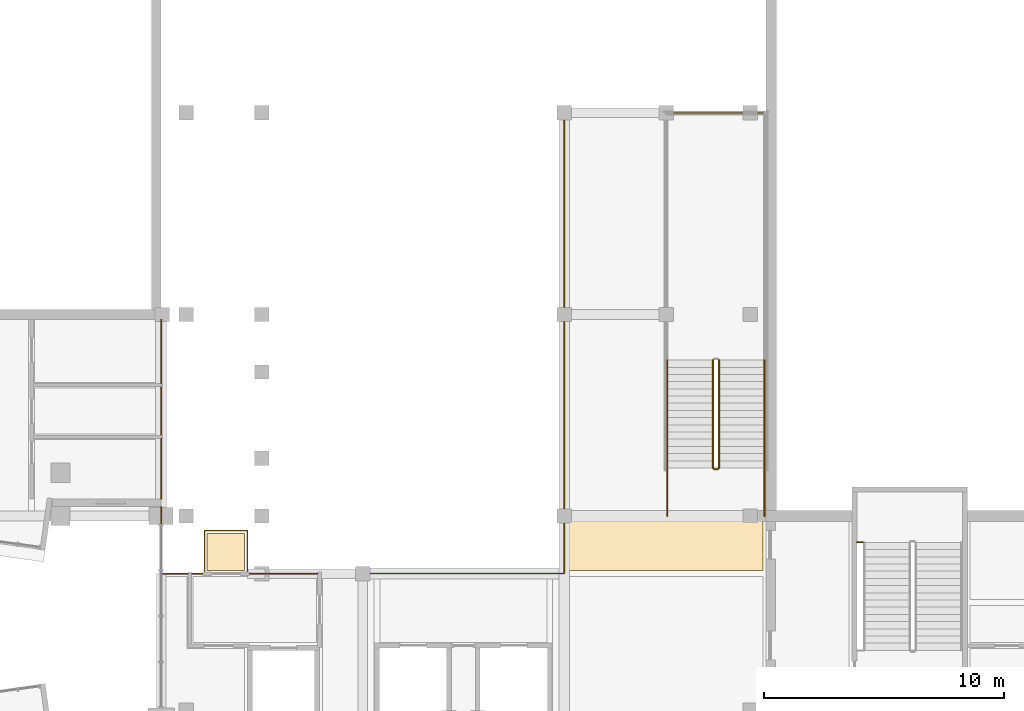
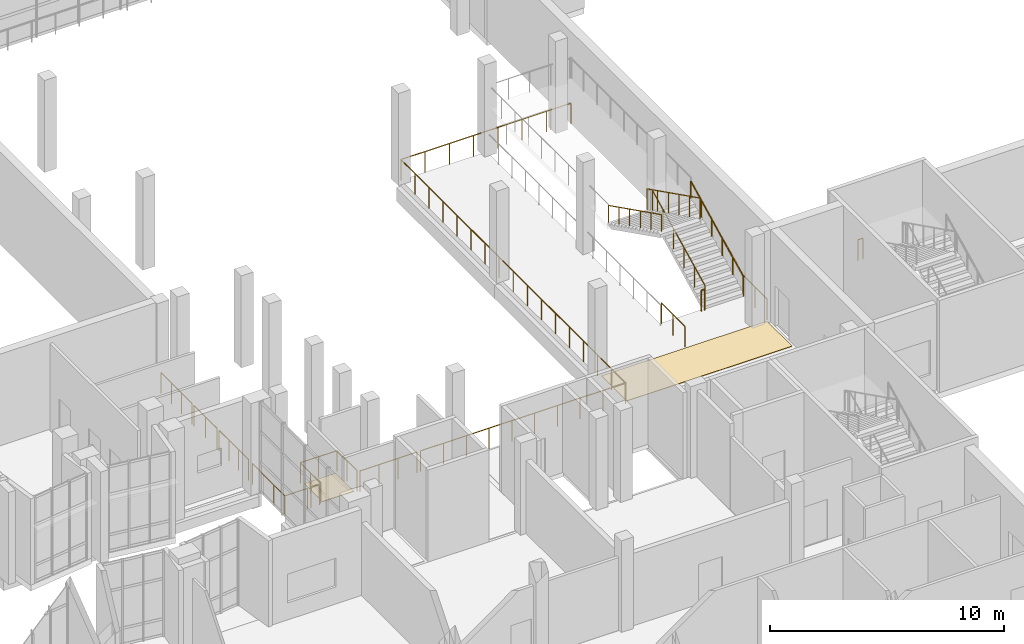
# One storey, part 74 of 91: 16 railings, 2 coverings.
"""IFC4 building model written with IfcOpenShell, lengths in metres."""

from ifc_helpers import new_model, si_unit, direction, frame, origin, origin_2d, place, context, subcontext, project, spatial, polyline, circle, outline, extrude, material, layer, layer_set, type_object, element, save


model = new_model("IFC4")

# Units and contexts
model_context = context("Model", 3, precision=1e-05, world=origin(), true_north=direction((0.0, 1.0)))
body_context = subcontext(model_context, "Body", "Model", "MODEL_VIEW")
ifc_project = project(units=[si_unit("LENGTHUNIT", "METRE"), si_unit("AREAUNIT", "SQUARE_METRE"), si_unit("VOLUMEUNIT", "CUBIC_METRE"), si_unit("PLANEANGLEUNIT", "RADIAN"), si_unit("MASSUNIT", "GRAM", prefix="KILO")], contexts=[model_context])

# Site, building, storey
site_placement = place(None, origin())
site = spatial("IfcSite", under=ifc_project, at=site_placement, CompositionType="ELEMENT")
building_placement = place(site_placement, origin())
building = spatial("IfcBuilding", under=site, at=building_placement, Name="Kiln Court Media Centre", CompositionType="ELEMENT")
storey_placement = place(building_placement, frame((0.0, 0.0, 5.39990234375)))
storey = spatial("IfcBuildingStorey", under=building, at=storey_placement, Name="L01", CompositionType="ELEMENT", Elevation=5.39990234375)

# Coverings
ifc_material_1 = material(Name="Terrazzo")
ifc_layer = layer(ifc_material_1, 0.02490234375)
ifc_layer_set = layer_set([ifc_layer], Name="Polished terrazzo floor finish 25")
covering_type = type_object("IfcCoveringType", Name="Polished terrazzo floor finish 25", PredefinedType="FLOORING", material=ifc_layer_set)
covering_1_placement = place(storey_placement, origin())
element("IfcCovering", 1, at=covering_1_placement, inside=storey, type_object=covering_type, Name="Wheelchair Refuge floor finish", PredefinedType="FLOORING", context=body_context, shape_type="SweptSolid", body=[
    extrude(outline(polyline([(35.52001953125, 31.320068359375), (37.080078125, 31.320068359375), (37.080078125, 32.8798828125), (35.52001953125, 32.8798828125), (35.52001953125, 31.320068359375)])), origin(), (0.0, 0.0, 1.0), 0.025146484375),
])
covering_2_placement = place(storey_placement, origin())
element("IfcCovering", 2, at=covering_2_placement, inside=storey, type_object=covering_type, Name="Stair Landing Gallery floor finish", PredefinedType="FLOORING", context=body_context, shape_type="SweptSolid", body=[
    extrude(outline(polyline([(50.52001953125, 31.320068359375), (58.679931640625, 31.320068359375), (58.679931640625, 33.47998046875), (50.52001953125, 33.47998046875), (50.52001953125, 31.320068359375)])), origin(), (0.0, 0.0, 1.0), 0.025146484375),
])

# Railings
ifc_material_2 = material(Name="Steel S275", Category="steel")
railing_type_1 = type_object("IfcRailingType", Name="Steel S275 balustrade guard 1100", PredefinedType="GUARDRAIL", material=ifc_material_2)
railing_1_placement = place(storey_placement, frame((33.60009765625, 33.97998046875, 0.0)))
element("IfcRailing", 3, at=railing_1_placement, inside=storey, type_object=railing_type_1, Name="L01 void edge guard", PredefinedType="GUARDRAIL", context=body_context, shape_type="SweptSolid", body=[
    extrude(circle(Radius=0.02392578125, at=origin_2d()), frame((0.0, 0.0, 1.076171875), z_axis=(0.0, -1.0, 0.0), x_axis=(1.0, 0.0, 0.0)), (0.0, 0.0, 1.0), 2.780029296875),
    extrude(circle(Radius=0.02392578125, at=origin_2d()), frame((0.0, -2.780029296875, 1.076171875), z_axis=(1.0, 0.0, 0.0), x_axis=(0.0, 1.0, 0.0)), (0.0, 0.0, 1.0), 1.10498046875),
    extrude(circle(Radius=0.02099609375, at=origin_2d()), origin(), (0.0, 0.0, 1.0), 1.052001953125),
    extrude(circle(Radius=0.02099609375, at=origin_2d()), frame((0.0, -0.9267578125, 0.0)), (0.0, 0.0, 1.0), 1.052001953125),
    extrude(circle(Radius=0.02099609375, at=origin_2d()), frame((0.0, -1.853271484375, 0.0)), (0.0, 0.0, 1.0), 1.052001953125),
    extrude(circle(Radius=0.02099609375, at=origin_2d()), frame((0.0, -2.780029296875, 0.0)), (0.0, 0.0, 1.0), 1.052001953125),
    extrude(circle(Radius=0.02099609375, at=origin_2d()), frame((1.10498046875, -2.780029296875, 0.0)), (0.0, 0.0, 1.0), 1.052001953125),
])
railing_2_placement = place(storey_placement, frame((33.60009765625, 36.8173828125, 0.0)))
element("IfcRailing", 4, at=railing_2_placement, inside=storey, type_object=railing_type_1, Name="L01 void edge guard", PredefinedType="GUARDRAIL", context=body_context, shape_type="SweptSolid", body=[
    extrude(circle(Radius=0.02392578125, at=origin_2d()), frame((0.0, 0.0, 1.076171875), z_axis=(0.0, -1.0, 0.0), x_axis=(1.0, 0.0, 0.0)), (0.0, 0.0, 1.0), 2.497314453125),
    extrude(circle(Radius=0.02099609375, at=origin_2d()), origin(), (0.0, 0.0, 1.0), 1.052001953125),
    extrude(circle(Radius=0.02099609375, at=origin_2d()), frame((0.0, -0.83251953125, 0.0)), (0.0, 0.0, 1.0), 1.052001953125),
    extrude(circle(Radius=0.02099609375, at=origin_2d()), frame((0.0, -1.664794921875, 0.0)), (0.0, 0.0, 1.0), 1.052001953125),
    extrude(circle(Radius=0.02099609375, at=origin_2d()), frame((0.0, -2.497314453125, 0.0)), (0.0, 0.0, 1.0), 1.052001953125),
])
railing_3_placement = place(storey_placement, frame((33.60009765625, 38.967529296875, 0.0)))
element("IfcRailing", 5, at=railing_3_placement, inside=storey, type_object=railing_type_1, Name="L01 void edge guard", PredefinedType="GUARDRAIL", context=body_context, shape_type="SweptSolid", body=[
    extrude(circle(Radius=0.02392578125, at=origin_2d()), frame((0.0, 0.0, 1.076171875), z_axis=(0.0, -1.0, 0.0), x_axis=(1.0, 0.0, 0.0)), (0.0, 0.0, 1.0), 1.985107421875),
    extrude(circle(Radius=0.02099609375, at=origin_2d()), origin(), (0.0, 0.0, 1.0), 1.052001953125),
    extrude(circle(Radius=0.02099609375, at=origin_2d()), frame((0.0, -0.99267578125, 0.0)), (0.0, 0.0, 1.0), 1.052001953125),
    extrude(circle(Radius=0.02099609375, at=origin_2d()), frame((0.0, -1.985107421875, 0.0)), (0.0, 0.0, 1.0), 1.052001953125),
])
railing_4_placement = place(storey_placement, frame((33.60009765625, 41.780029296875, 0.0)))
element("IfcRailing", 6, at=railing_4_placement, inside=storey, type_object=railing_type_1, Name="L01 void edge guard", PredefinedType="GUARDRAIL", context=body_context, shape_type="SweptSolid", body=[
    extrude(circle(Radius=0.02392578125, at=origin_2d()), frame((0.0, 0.0, 1.076171875), z_axis=(0.0, -1.0, 0.0), x_axis=(1.0, 0.0, 0.0)), (0.0, 0.0, 1.0), 2.6474609375),
    extrude(circle(Radius=0.02099609375, at=origin_2d()), origin(), (0.0, 0.0, 1.0), 1.052001953125),
    extrude(circle(Radius=0.02099609375, at=origin_2d()), frame((0.0, -0.882568359375, 0.0)), (0.0, 0.0, 1.0), 1.052001953125),
    extrude(circle(Radius=0.02099609375, at=origin_2d()), frame((0.0, -1.764892578125, 0.0)), (0.0, 0.0, 1.0), 1.052001953125),
    extrude(circle(Radius=0.02099609375, at=origin_2d()), frame((0.0, -2.6474609375, 0.0)), (0.0, 0.0, 1.0), 1.052001953125),
])
railing_5_placement = place(storey_placement, frame((34.89501953125, 31.199951171875, 0.0)))
element("IfcRailing", 7, at=railing_5_placement, inside=storey, type_object=railing_type_1, Name="L01 void edge guard", PredefinedType="GUARDRAIL", context=body_context, shape_type="SweptSolid", body=[
    extrude(circle(Radius=0.02392578125, at=origin_2d()), frame((0.0, 0.0, 1.076171875), z_axis=(1.0, 0.0, 0.0), x_axis=(0.0, 1.0, 0.0)), (0.0, 0.0, 1.0), 0.409912109375),
    extrude(circle(Radius=0.02099609375, at=origin_2d()), origin(), (0.0, 0.0, 1.0), 1.052001953125),
    extrude(circle(Radius=0.02099609375, at=origin_2d()), frame((0.409912109375, 0.0, 0.0)), (0.0, 0.0, 1.0), 1.052001953125),
])
railing_6_placement = place(storey_placement, frame((35.39990234375, 31.294921875, 0.0)))
element("IfcRailing", 8, at=railing_6_placement, inside=storey, type_object=railing_type_1, Name="L01 void edge guard", PredefinedType="GUARDRAIL", context=body_context, shape_type="SweptSolid", body=[
    extrude(circle(Radius=0.02392578125, at=origin_2d()), frame((0.0, 0.0, 1.076171875), z_axis=(0.0, 1.0, 0.0), x_axis=(-1.0, 0.0, 0.0)), (0.0, 0.0, 1.0), 1.705078125),
    extrude(circle(Radius=0.02392578125, at=origin_2d()), frame((0.0, 1.705078125, 1.076171875), z_axis=(1.0, 0.0, 0.0), x_axis=(0.0, 1.0, 0.0)), (0.0, 0.0, 1.0), 1.800048828125),
    extrude(circle(Radius=0.02392578125, at=origin_2d()), frame((1.800048828125, 1.705078125, 1.076171875), z_axis=(0.0, -1.0, 0.0), x_axis=(1.0, 0.0, 0.0)), (0.0, 0.0, 1.0), 1.705078125),
    extrude(circle(Radius=0.02099609375, at=origin_2d()), origin(), (0.0, 0.0, 1.0), 1.052001953125),
    extrude(circle(Radius=0.02099609375, at=origin_2d()), frame((0.0, 0.8525390625, 0.0)), (0.0, 0.0, 1.0), 1.052001953125),
    extrude(circle(Radius=0.02099609375, at=origin_2d()), frame((0.0, 1.705078125, 0.0)), (0.0, 0.0, 1.0), 1.052001953125),
    extrude(circle(Radius=0.02099609375, at=origin_2d()), frame((0.89990234375, 1.705078125, 0.0)), (0.0, 0.0, 1.0), 1.052001953125),
    extrude(circle(Radius=0.02099609375, at=origin_2d()), frame((1.800048828125, 1.705078125, 0.0)), (0.0, 0.0, 1.0), 1.052001953125),
    extrude(circle(Radius=0.02099609375, at=origin_2d()), frame((1.800048828125, 0.8525390625, 0.0)), (0.0, 0.0, 1.0), 1.052001953125),
    extrude(circle(Radius=0.02099609375, at=origin_2d()), frame((1.800048828125, 0.0, 0.0)), (0.0, 0.0, 1.0), 1.052001953125),
])
railing_7_placement = place(storey_placement, frame((37.294921875, 31.199951171875, 0.0)))
element("IfcRailing", 9, at=railing_7_placement, inside=storey, type_object=railing_type_1, Name="L01 void edge guard", PredefinedType="GUARDRAIL", context=body_context, shape_type="SweptSolid", body=[
    extrude(circle(Radius=0.02392578125, at=origin_2d()), frame((0.0, 0.0, 1.076171875), z_axis=(1.0, 0.0, 0.0), x_axis=(0.0, 1.0, 0.0)), (0.0, 0.0, 1.0), 2.81005859375),
    extrude(circle(Radius=0.02099609375, at=origin_2d()), origin(), (0.0, 0.0, 1.0), 1.052001953125),
    extrude(circle(Radius=0.02099609375, at=origin_2d()), frame((0.936767578125, 0.0, 0.0)), (0.0, 0.0, 1.0), 1.052001953125),
    extrude(circle(Radius=0.02099609375, at=origin_2d()), frame((1.873291015625, 0.0, 0.0)), (0.0, 0.0, 1.0), 1.052001953125),
    extrude(circle(Radius=0.02099609375, at=origin_2d()), frame((2.81005859375, 0.0, 0.0)), (0.0, 0.0, 1.0), 1.052001953125),
])
railing_8_placement = place(storey_placement, frame((40.294921875, 31.199951171875, 0.0)))
element("IfcRailing", 10, at=railing_8_placement, inside=storey, type_object=railing_type_1, Name="L01 void edge guard", PredefinedType="GUARDRAIL", context=body_context, shape_type="SweptSolid", body=[
    extrude(circle(Radius=0.02392578125, at=origin_2d()), frame((0.0, 0.0, 1.076171875), z_axis=(1.0, 0.0, 0.0), x_axis=(0.0, 1.0, 0.0)), (0.0, 0.0, 1.0), 10.10498046875),
    extrude(circle(Radius=0.02392578125, at=origin_2d()), frame((10.10498046875, 0.0, 1.076171875), z_axis=(0.0, 1.0, 0.0), x_axis=(-1.0, 0.0, 0.0)), (0.0, 0.0, 1.0), 19.199951171875),
    extrude(circle(Radius=0.02392578125, at=origin_2d()), frame((10.10498046875, 19.199951171875, 1.076171875), z_axis=(1.0, 0.0, 0.0), x_axis=(0.0, 1.0, 0.0)), (0.0, 0.0, 1.0), 8.3798828125),
    extrude(circle(Radius=0.02099609375, at=origin_2d()), origin(), (0.0, 0.0, 1.0), 1.052001953125),
    extrude(circle(Radius=0.02099609375, at=origin_2d()), frame((1.122802734375, 0.0, 0.0)), (0.0, 0.0, 1.0), 1.052001953125),
    extrude(circle(Radius=0.02099609375, at=origin_2d()), frame((2.24560546875, 0.0, 0.0)), (0.0, 0.0, 1.0), 1.052001953125),
    extrude(circle(Radius=0.02099609375, at=origin_2d()), frame((3.368408203125, 0.0, 0.0)), (0.0, 0.0, 1.0), 1.052001953125),
    extrude(circle(Radius=0.02099609375, at=origin_2d()), frame((4.4912109375, 0.0, 0.0)), (0.0, 0.0, 1.0), 1.052001953125),
    extrude(circle(Radius=0.02099609375, at=origin_2d()), frame((5.61376953125, 0.0, 0.0)), (0.0, 0.0, 1.0), 1.052001953125),
    extrude(circle(Radius=0.02099609375, at=origin_2d()), frame((6.736572265625, 0.0, 0.0)), (0.0, 0.0, 1.0), 1.052001953125),
    extrude(circle(Radius=0.02099609375, at=origin_2d()), frame((7.859375, 0.0, 0.0)), (0.0, 0.0, 1.0), 1.052001953125),
    extrude(circle(Radius=0.02099609375, at=origin_2d()), frame((8.982177734375, 0.0, 0.0)), (0.0, 0.0, 1.0), 1.052001953125),
    extrude(circle(Radius=0.02099609375, at=origin_2d()), frame((10.10498046875, 0.0, 0.0)), (0.0, 0.0, 1.0), 1.052001953125),
    extrude(circle(Radius=0.02099609375, at=origin_2d()), frame((10.10498046875, 1.199951171875, 0.0)), (0.0, 0.0, 1.0), 1.052001953125),
    extrude(circle(Radius=0.02099609375, at=origin_2d()), frame((10.10498046875, 2.39990234375, 0.0)), (0.0, 0.0, 1.0), 1.052001953125),
    extrude(circle(Radius=0.02099609375, at=origin_2d()), frame((10.10498046875, 3.60009765625, 0.0)), (0.0, 0.0, 1.0), 1.052001953125),
    extrude(circle(Radius=0.02099609375, at=origin_2d()), frame((10.10498046875, 4.800048828125, 0.0)), (0.0, 0.0, 1.0), 1.052001953125),
    extrude(circle(Radius=0.02099609375, at=origin_2d()), frame((10.10498046875, 6.0, 0.0)), (0.0, 0.0, 1.0), 1.052001953125),
    extrude(circle(Radius=0.02099609375, at=origin_2d()), frame((10.10498046875, 7.199951171875, 0.0)), (0.0, 0.0, 1.0), 1.052001953125),
    extrude(circle(Radius=0.02099609375, at=origin_2d()), frame((10.10498046875, 8.39990234375, 0.0)), (0.0, 0.0, 1.0), 1.052001953125),
    extrude(circle(Radius=0.02099609375, at=origin_2d()), frame((10.10498046875, 9.60009765625, 0.0)), (0.0, 0.0, 1.0), 1.052001953125),
    extrude(circle(Radius=0.02099609375, at=origin_2d()), frame((10.10498046875, 10.800048828125, 0.0)), (0.0, 0.0, 1.0), 1.052001953125),
    extrude(circle(Radius=0.02099609375, at=origin_2d()), frame((10.10498046875, 12.0, 0.0)), (0.0, 0.0, 1.0), 1.052001953125),
    extrude(circle(Radius=0.02099609375, at=origin_2d()), frame((10.10498046875, 13.199951171875, 0.0)), (0.0, 0.0, 1.0), 1.052001953125),
    extrude(circle(Radius=0.02099609375, at=origin_2d()), frame((10.10498046875, 14.39990234375, 0.0)), (0.0, 0.0, 1.0), 1.052001953125),
    extrude(circle(Radius=0.02099609375, at=origin_2d()), frame((10.10498046875, 15.599853515625, 0.0)), (0.0, 0.0, 1.0), 1.052001953125),
    extrude(circle(Radius=0.02099609375, at=origin_2d()), frame((10.10498046875, 16.800048828125, 0.0)), (0.0, 0.0, 1.0), 1.052001953125),
    extrude(circle(Radius=0.02099609375, at=origin_2d()), frame((10.10498046875, 18.0, 0.0)), (0.0, 0.0, 1.0), 1.052001953125),
    extrude(circle(Radius=0.02099609375, at=origin_2d()), frame((10.10498046875, 19.199951171875, 0.0)), (0.0, 0.0, 1.0), 1.052001953125),
    extrude(circle(Radius=0.02099609375, at=origin_2d()), frame((11.302001953125, 19.199951171875, 0.0)), (0.0, 0.0, 1.0), 1.052001953125),
    extrude(circle(Radius=0.02099609375, at=origin_2d()), frame((12.499267578125, 19.199951171875, 0.0)), (0.0, 0.0, 1.0), 1.052001953125),
    extrude(circle(Radius=0.02099609375, at=origin_2d()), frame((13.6962890625, 19.199951171875, 0.0)), (0.0, 0.0, 1.0), 1.052001953125),
    extrude(circle(Radius=0.02099609375, at=origin_2d()), frame((14.8935546875, 19.199951171875, 0.0)), (0.0, 0.0, 1.0), 1.052001953125),
    extrude(circle(Radius=0.02099609375, at=origin_2d()), frame((16.090576171875, 19.199951171875, 0.0)), (0.0, 0.0, 1.0), 1.052001953125),
    extrude(circle(Radius=0.02099609375, at=origin_2d()), frame((17.287841796875, 19.199951171875, 0.0)), (0.0, 0.0, 1.0), 1.052001953125),
    extrude(circle(Radius=0.02099609375, at=origin_2d()), frame((18.48486328125, 19.199951171875, 0.0)), (0.0, 0.0, 1.0), 1.052001953125),
])
ifc_material_3 = material(Name="Steel S275", Category="steel")
railing_type_2 = type_object("IfcRailingType", Name="Steel S275 stair guard 1100", PredefinedType="GUARDRAIL", material=ifc_material_3)
railing_9_placement = place(storey_placement, frame((62.85009765625, 32.5, 2.400146484375)))
element("IfcRailing", 11, at=railing_9_placement, inside=storey, type_object=railing_type_2, Name="ST-09 landing edge guard", PredefinedType="GUARDRAIL", context=body_context, shape_type="SweptSolid", body=[
    extrude(circle(Radius=0.02392578125, at=origin_2d()), frame((0.0, 0.0, 1.076171875), z_axis=(-1.0, 0.0, 0.0), x_axis=(0.0, -1.0, 0.0)), (0.0, 0.0, 1.0), 0.25),
    extrude(circle(Radius=0.02099609375, at=origin_2d()), origin(), (0.0, 0.0, 1.0), 1.052001953125),
    extrude(circle(Radius=0.02099609375, at=origin_2d()), frame((-0.25, 0.0, 0.0)), (0.0, 0.0, 1.0), 1.052001953125),
])
railing_10_placement = place(storey_placement, frame((56.85009765625, 35.60009765625, 0.150146484375)))
element("IfcRailing", 12, at=railing_10_placement, inside=storey, type_object=railing_type_2, Name="ST-F1 stair guard", PredefinedType="GUARDRAIL", context=body_context, shape_type="SweptSolid", body=[
    extrude(circle(Radius=0.02392578125, at=origin_2d()), frame((0.0, 0.0, 1.076171875), z_axis=(0.0, 0.894427191, 0.4472135955), x_axis=(-1.0, 0.0, 0.0)), (0.0, 0.0, 1.0), 5.03125),
    extrude(circle(Radius=0.02099609375, at=origin_2d()), origin(), (0.0, 0.0, 1.0), 1.052001953125),
    extrude(circle(Radius=0.02099609375, at=origin_2d()), frame((0.0, 0.89990234375, 0.449951171875)), (0.0, 0.0, 1.0), 1.052001953125),
    extrude(circle(Radius=0.02099609375, at=origin_2d()), frame((0.0, 1.800048828125, 0.89990234375)), (0.0, 0.0, 1.0), 1.052001953125),
    extrude(circle(Radius=0.02099609375, at=origin_2d()), frame((0.0, 2.699951171875, 1.35009765625)), (0.0, 0.0, 1.0), 1.052001953125),
    extrude(circle(Radius=0.02099609375, at=origin_2d()), frame((0.0, 3.60009765625, 1.800048828125)), (0.0, 0.0, 1.0), 1.052001953125),
    extrude(circle(Radius=0.02099609375, at=origin_2d()), frame((0.0, 4.5, 2.25)), (0.0, 0.0, 1.0), 1.052001953125),
])
railing_11_placement = place(storey_placement, frame((56.60009765625, 40.10009765625, 2.550048828125)))
element("IfcRailing", 13, at=railing_11_placement, inside=storey, type_object=railing_type_2, Name="ST-F1 stair guard", PredefinedType="GUARDRAIL", context=body_context, shape_type="SweptSolid", body=[
    extrude(circle(Radius=0.02392578125, at=origin_2d()), frame((0.0, 0.0, 1.076171875), z_axis=(0.0, -0.894427191, 0.4472135955), x_axis=(1.0, 0.0, 0.0)), (0.0, 0.0, 1.0), 5.03125),
    extrude(circle(Radius=0.02099609375, at=origin_2d()), origin(), (0.0, 0.0, 1.0), 1.052001953125),
    extrude(circle(Radius=0.02099609375, at=origin_2d()), frame((0.0, -0.89990234375, 0.449951171875)), (0.0, 0.0, 1.0), 1.052001953125),
    extrude(circle(Radius=0.02099609375, at=origin_2d()), frame((0.0, -1.800048828125, 0.89990234375)), (0.0, 0.0, 1.0), 1.052001953125),
    extrude(circle(Radius=0.02099609375, at=origin_2d()), frame((0.0, -2.699951171875, 1.35009765625)), (0.0, 0.0, 1.0), 1.052001953125),
    extrude(circle(Radius=0.02099609375, at=origin_2d()), frame((0.0, -3.60009765625, 1.800048828125)), (0.0, 0.0, 1.0), 1.052001953125),
    extrude(circle(Radius=0.02099609375, at=origin_2d()), frame((0.0, -4.5, 2.25)), (0.0, 0.0, 1.0), 1.052001953125),
])
railing_12_placement = place(storey_placement, frame((56.800048828125, 35.550048828125, 0.0)))
element("IfcRailing", 14, at=railing_12_placement, inside=storey, type_object=railing_type_2, Name="ST-F1 stair guard", PredefinedType="GUARDRAIL", context=body_context, shape_type="SweptSolid", body=[
    extrude(circle(Radius=0.02392578125, at=origin_2d()), frame((0.0, 0.0, 1.076171875), z_axis=(-1.0, 0.0, 0.0), x_axis=(0.0, -1.0, 0.0)), (0.0, 0.0, 1.0), 0.150146484375),
    extrude(circle(Radius=0.02099609375, at=origin_2d()), origin(), (0.0, 0.0, 1.0), 1.052001953125),
    extrude(circle(Radius=0.02099609375, at=origin_2d()), frame((-0.150146484375, 0.0, 0.0)), (0.0, 0.0, 1.0), 1.052001953125),
])
for number, where, name in (
    (15, (58.75, 33.60009765625, 0.0), "ST-F1 stair guard"),
    (16, (54.699951171875, 33.60009765625, 0.0), "ST-F1 stair guard"),
):
    element("IfcRailing", number, at=place(storey_placement, frame(where)), inside=storey, type_object=railing_type_2, Name=name, PredefinedType="GUARDRAIL", context=body_context, shape_type="SweptSolid", body=[
        extrude(circle(Radius=0.02392578125, at=origin_2d()), frame((0.0, 0.0, 1.076171875), z_axis=(0.0, 1.0, 0.0), x_axis=(-1.0, 0.0, 0.0)), (0.0, 0.0, 1.0), 2.0),
        extrude(circle(Radius=0.02099609375, at=origin_2d()), origin(), (0.0, 0.0, 1.0), 1.052001953125),
        extrude(circle(Radius=0.02099609375, at=origin_2d()), frame((0.0, 1.0, 0.0)), (0.0, 0.0, 1.0), 1.052001953125),
        extrude(circle(Radius=0.02099609375, at=origin_2d()), frame((0.0, 2.0, 0.0)), (0.0, 0.0, 1.0), 1.052001953125),
    ])
ifc_material_4 = material(Name="Steel S275", Category="steel")
railing_type_3 = type_object("IfcRailingType", Name="Steel S275 stair handrail 900", PredefinedType="HANDRAIL", material=ifc_material_4)
railing_13_placement = place(storey_placement, frame((58.75, 35.60009765625, 0.150146484375)))
element("IfcRailing", 17, at=railing_13_placement, inside=storey, type_object=railing_type_3, Name="ST-F1 stair handrail", PredefinedType="HANDRAIL", context=body_context, shape_type="SweptSolid", body=[
    extrude(circle(Radius=0.02392578125, at=origin_2d()), frame((0.0, 0.0, 0.8759765625), z_axis=(0.0, 0.894427191, 0.4472135955), x_axis=(-1.0, 0.0, 0.0)), (0.0, 0.0, 1.0), 5.03125),
    extrude(circle(Radius=0.02099609375, at=origin_2d()), origin(), (0.0, 0.0, 1.0), 0.851806640625),
    extrude(circle(Radius=0.02099609375, at=origin_2d()), frame((0.0, 0.89990234375, 0.449951171875)), (0.0, 0.0, 1.0), 0.851806640625),
    extrude(circle(Radius=0.02099609375, at=origin_2d()), frame((0.0, 1.800048828125, 0.89990234375)), (0.0, 0.0, 1.0), 0.851806640625),
    extrude(circle(Radius=0.02099609375, at=origin_2d()), frame((0.0, 2.699951171875, 1.35009765625)), (0.0, 0.0, 1.0), 0.851806640625),
    extrude(circle(Radius=0.02099609375, at=origin_2d()), frame((0.0, 3.60009765625, 1.800048828125)), (0.0, 0.0, 1.0), 0.851806640625),
    extrude(circle(Radius=0.02099609375, at=origin_2d()), frame((0.0, 4.5, 2.25)), (0.0, 0.0, 1.0), 0.851806640625),
])
railing_14_placement = place(storey_placement, frame((54.699951171875, 40.10009765625, 2.550048828125)))
element("IfcRailing", 18, at=railing_14_placement, inside=storey, type_object=railing_type_3, Name="ST-F1 stair handrail", PredefinedType="HANDRAIL", context=body_context, shape_type="SweptSolid", body=[
    extrude(circle(Radius=0.02392578125, at=origin_2d()), frame((0.0, 0.0, 0.8759765625), z_axis=(0.0, -0.894427191, 0.4472135955), x_axis=(1.0, 0.0, 0.0)), (0.0, 0.0, 1.0), 5.03125),
    extrude(circle(Radius=0.02099609375, at=origin_2d()), origin(), (0.0, 0.0, 1.0), 0.851806640625),
    extrude(circle(Radius=0.02099609375, at=origin_2d()), frame((0.0, -0.89990234375, 0.449951171875)), (0.0, 0.0, 1.0), 0.851806640625),
    extrude(circle(Radius=0.02099609375, at=origin_2d()), frame((0.0, -1.800048828125, 0.89990234375)), (0.0, 0.0, 1.0), 0.851806640625),
    extrude(circle(Radius=0.02099609375, at=origin_2d()), frame((0.0, -2.699951171875, 1.35009765625)), (0.0, 0.0, 1.0), 0.851806640625),
    extrude(circle(Radius=0.02099609375, at=origin_2d()), frame((0.0, -3.60009765625, 1.800048828125)), (0.0, 0.0, 1.0), 0.851806640625),
    extrude(circle(Radius=0.02099609375, at=origin_2d()), frame((0.0, -4.5, 2.25)), (0.0, 0.0, 1.0), 0.851806640625),
])

save(model, "model.ifc")
